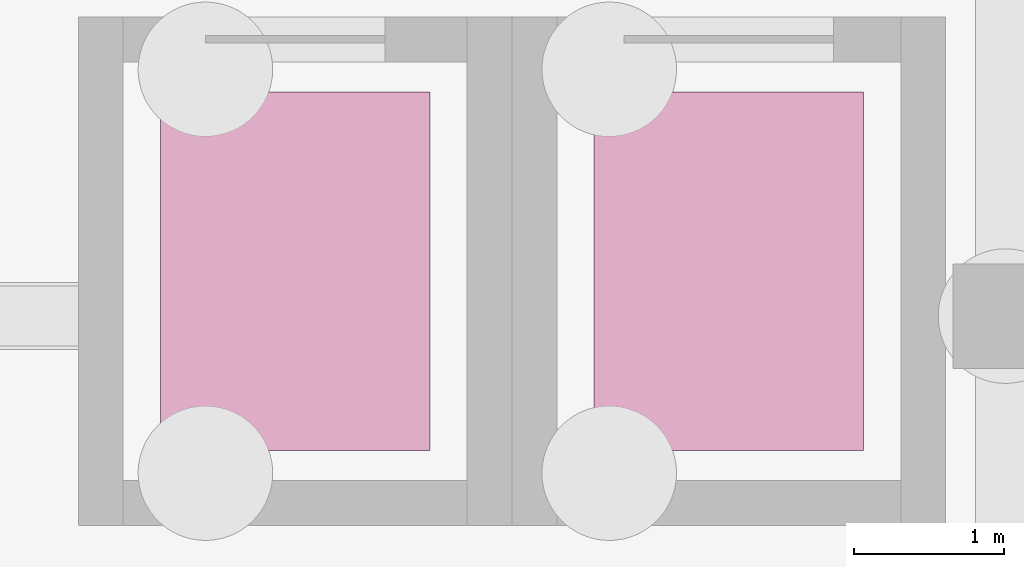
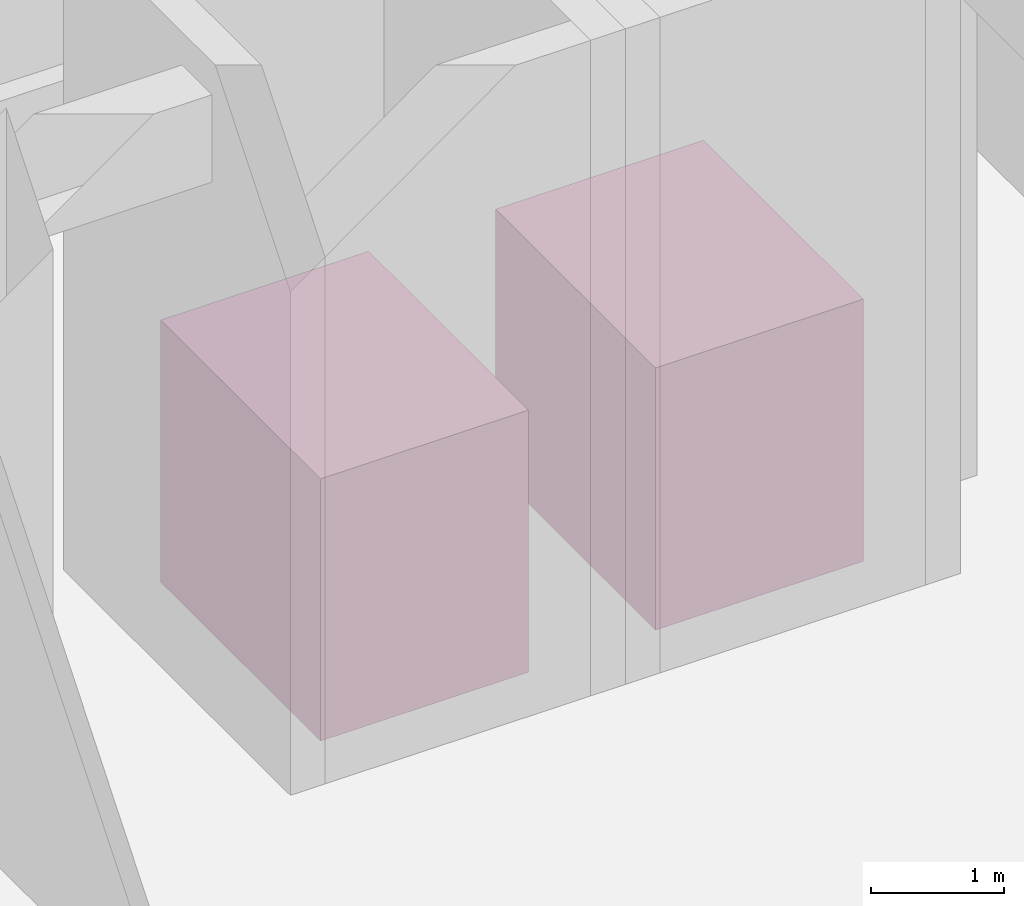
# One storey, part 51 of 51: 2 transport elements.
"""IFC4 building model written with IfcOpenShell, lengths in metres."""

from ifc_helpers import new_model, si_unit, direction, frame, origin, origin_2d, place, context, subcontext, project, spatial, rectangle, extrude, material, type_object, element, save


model = new_model("IFC4")

# Units and contexts
model_context = context("Model", 3, precision=1e-05, world=origin(), true_north=direction((0.0, 1.0)))
body_context = subcontext(model_context, "Body", "Model", "MODEL_VIEW")
ifc_project = project(units=[si_unit("LENGTHUNIT", "METRE"), si_unit("AREAUNIT", "SQUARE_METRE"), si_unit("VOLUMEUNIT", "CUBIC_METRE"), si_unit("PLANEANGLEUNIT", "RADIAN"), si_unit("MASSUNIT", "GRAM", prefix="KILO")], contexts=[model_context])

# Site, building, storey
site_placement = place(None, origin())
site = spatial("IfcSite", under=ifc_project, at=site_placement, CompositionType="ELEMENT")
building_placement = place(site_placement, origin())
building = spatial("IfcBuilding", under=site, at=building_placement, Name="Elmora Arch Market Hall", CompositionType="ELEMENT")
storey_placement = place(building_placement, origin())
storey = spatial("IfcBuildingStorey", under=building, at=storey_placement, Name="L00", CompositionType="ELEMENT", Elevation=0.0)

# Transport elements
ifc_material = material(Name="Stainless steel ASTM A240 Type 304", Category="steel")
transport_element_type = type_object("IfcTransportElementType", Name="Lift car 1800 x 2400 1800 kg", PredefinedType="ELEVATOR", material=ifc_material)
for number, where, z_axis, x_axis, name in (
    (1, (105.75, 158.800048828125, 0.0), (0.0, 0.0, 1.0), (1.0, 0.0, 0.0), "Lift SL1"),
    (2, (108.64990234375, 158.800048828125, 0.0), (0.0, 0.0, 1.0), (1.0, 0.0, 0.0), "Lift SL2"),
):
    element("IfcTransportElement", number, at=place(storey_placement, frame(where, z_axis=z_axis, x_axis=x_axis)), inside=storey, type_object=transport_element_type, Name=name, PredefinedType="ELEVATOR", context=body_context, shape_type="SweptSolid", body=[
        extrude(rectangle(XDim=1.800048828125, YDim=2.39990234375, at=origin_2d()), origin(), (0.0, 0.0, 1.0), 2.39990234375),
    ])

save(model, "model.ifc")
